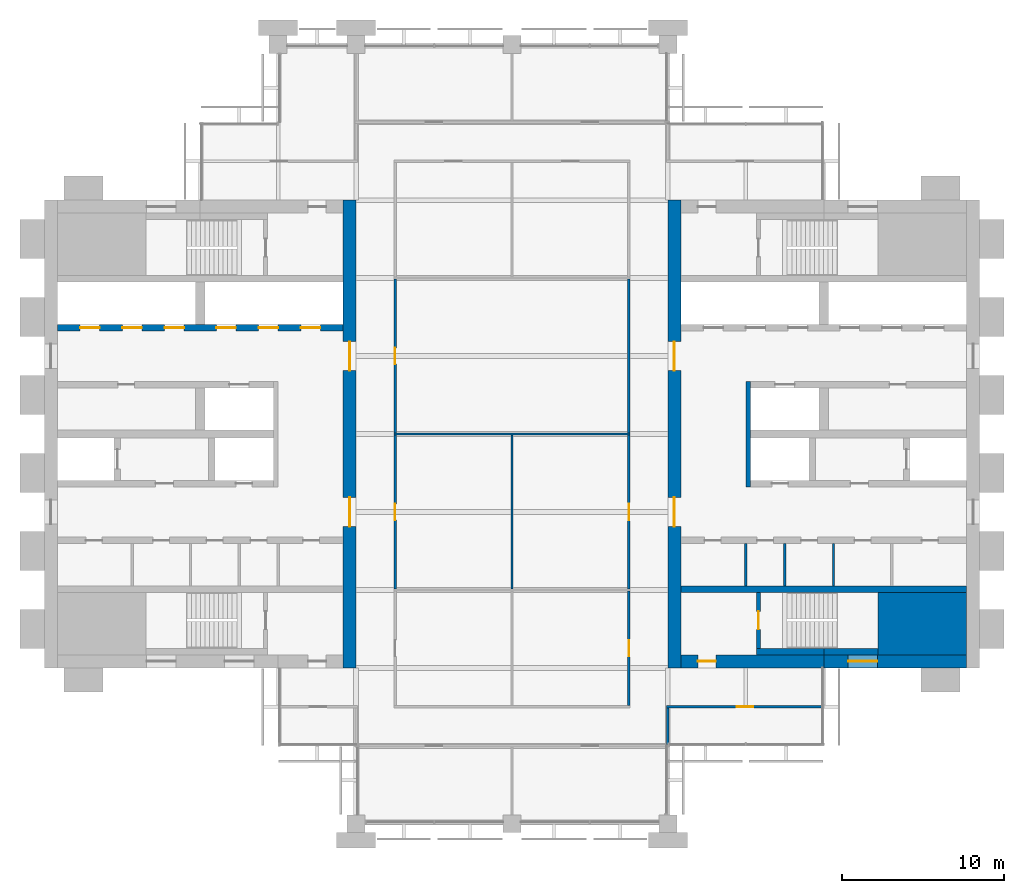
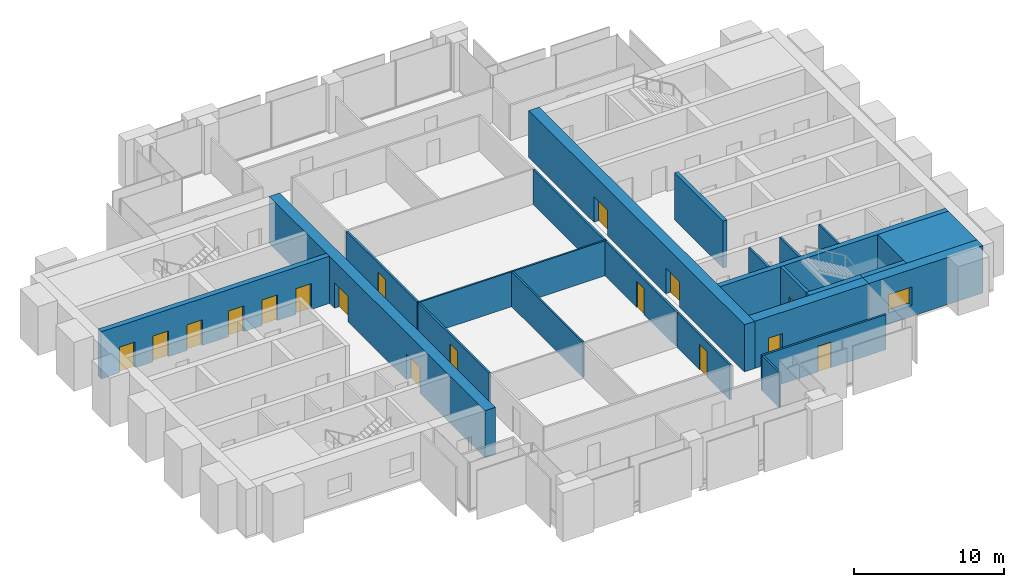
# One storey, part 9 of 13: 23 walls, 17 doors, 1 window, 18 openings.
"""IFC4 building model written with IfcOpenShell, lengths in metres."""

from ifc_helpers import new_model, si_unit, direction, frame, frame_2d, origin, place, context, subcontext, project, spatial, rectangle, extrude, material, layer, layer_set, type_object, element, fill, save


model = new_model("IFC4")

# Units and contexts
model_context = context("Model", 3, precision=1e-05, world=origin(), true_north=direction((0.0, 1.0)))
body_context = subcontext(model_context, "Body", "Model", "MODEL_VIEW")
ifc_project = project(units=[si_unit("LENGTHUNIT", "METRE"), si_unit("AREAUNIT", "SQUARE_METRE"), si_unit("VOLUMEUNIT", "CUBIC_METRE"), si_unit("PLANEANGLEUNIT", "RADIAN"), si_unit("MASSUNIT", "GRAM", prefix="KILO")], contexts=[model_context])

# Site, building, storey
site_placement = place(None, origin())
site = spatial("IfcSite", under=ifc_project, at=site_placement, CompositionType="ELEMENT")
building_placement = place(site_placement, origin())
building = spatial("IfcBuilding", under=site, at=building_placement, Name="Baori Bourse Tower", CompositionType="ELEMENT")
storey_placement = place(building_placement, frame((0.0, 0.0, 217.199951171875)))
storey = spatial("IfcBuildingStorey", under=building, at=storey_placement, Name="L47", CompositionType="ELEMENT", Elevation=217.199951171875)

# Walls
ifc_material_1 = material(Name="Concrete f'c 50 MPa", Category="concrete")
wall_type_1 = type_object("IfcWallType", Name="Core corner block f'c 50", PredefinedType="SHEAR", material=ifc_material_1)
wall_1_placement = place(storey_placement, frame((51.35009765625, 12.324951171875, 0.0), z_axis=(0.0, 0.0, 1.0), x_axis=(1.0, 0.0, 0.0)))
element("IfcWall", 1, at=wall_1_placement, inside=storey, type_object=wall_type_1, Name="Core wall E05", PredefinedType="SHEAR", context=body_context, shape_type="SweptSolid", body=[
    extrude(rectangle(XDim=5.449951171875, YDim=3.85009765625, at=frame_2d((2.72509765625, 0.0))), origin(), (0.0, 0.0, 1.0), 3.840087890625),
])
ifc_material_2 = material(Name="Blockwork partition", Category="masonry")
ifc_layer_1 = layer(ifc_material_2, 0.14990234375)
ifc_layer_set_1 = layer_set([ifc_layer_1], Name="Core partition 150")
wall_type_2 = type_object("IfcWallType", Name="Core partition 150", PredefinedType="PARTITIONING", material=ifc_layer_set_1)
for number, where, z_axis, x_axis, name in (
    (2, (48.60009765625, 14.64990234375, 0.0), (0.0, 0.0, 1.0), (0.0, 1.0, 0.0), "Partition wall E11"),
    (3, (45.60009765625, 14.64990234375, 0.0), (0.0, 0.0, 1.0), (0.0, 1.0, 0.0), "Partition wall E12"),
    (4, (43.199951171875, 14.64990234375, 0.0), (0.0, 0.0, 1.0), (0.0, 1.0, 0.0), "Partition wall E13"),
):
    element("IfcWall", number, at=place(storey_placement, frame(where, z_axis=z_axis, x_axis=x_axis)), inside=storey, type_object=wall_type_2, Name=name, PredefinedType="PARTITIONING", context=body_context, shape_type="SweptSolid", body=[
        extrude(rectangle(XDim=2.60009765625, YDim=0.14990234375, at=frame_2d((1.300048828125, 0.0))), origin(), (0.0, 0.0, 1.0), 3.840087890625),
    ])

# Wall, openings, doors
ifc_material_3 = material(Name="Concrete f'c 50 MPa", Category="concrete")
ifc_layer_2 = layer(ifc_material_3, 0.800048828125)
ifc_layer_set_2 = layer_set([ifc_layer_2], Name="Core wall 800 f'c 50")
wall_type_3 = type_object("IfcWallType", Name="Core wall 800 f'c 50", PredefinedType="SHEAR", material=ifc_layer_set_2)
wall_2_placement = place(storey_placement, frame((18.800048828125, 38.39990234375, 0.0), z_axis=(0.0, 0.0, 1.0), x_axis=(0.0, -1.0, 0.0)))
wall_2 = element("IfcWall", 5, at=wall_2_placement, inside=storey, type_object=wall_type_3, Name="Core wall W04", PredefinedType="SHEAR", context=body_context, shape_type="SweptSolid", body=[
    extrude(rectangle(XDim=28.7998046875, YDim=0.800048828125, at=frame_2d((14.39990234375, 0.0))), origin(), (0.0, 0.0, 1.0), 3.840087890625),
])
opening_1_placement = place(wall_2_placement, frame((18.300048828125, 0.0, 0.0)))
opening_1 = element("IfcOpeningElement", 6, at=opening_1_placement, cuts=wall_2, Name="Opening L47-D107", PredefinedType="OPENING", context=body_context, shape_type="SweptSolid", body=[
    extrude(rectangle(XDim=1.800048828125, YDim=2.10009765625, at=frame_2d((0.89990234375, 1.050048828125))), frame((0.0, 0.409912109375, 0.0), z_axis=(0.0, -1.0, 0.0), x_axis=(1.0, 0.0, 0.0)), (0.0, 0.0, 1.0), 0.820068359375),
])
opening_2_placement = place(wall_2_placement, frame((8.699951171875, 0.0, 0.0)))
opening_2 = element("IfcOpeningElement", 7, at=opening_2_placement, cuts=wall_2, Name="Opening L47-D108", PredefinedType="OPENING", context=body_context, shape_type="SweptSolid", body=[
    extrude(rectangle(XDim=1.800048828125, YDim=2.10009765625, at=frame_2d((0.89990234375, 1.050048828125))), frame((0.0, 0.409912109375, 0.0), z_axis=(0.0, -1.0, 0.0), x_axis=(1.0, 0.0, 0.0)), (0.0, 0.0, 1.0), 0.820068359375),
])
ifc_material_4 = material(Name="Painted steel door", Category="steel")
door_type_1 = type_object("IfcDoorType", Name="Core lobby door 1800", OperationType="DOUBLE_DOOR_SINGLE_SWING", PredefinedType="DOOR", material=ifc_material_4)
door_1_placement = place(opening_1_placement, origin())
door_1 = element("IfcDoor", 8, at=door_1_placement, inside=storey, type_object=door_type_1, Name="Lobby door W L47", OperationType="DOUBLE_DOOR_SINGLE_SWING", OverallHeight=2.10009765625, OverallWidth=1.800048828125, PredefinedType="DOOR", context=body_context, shape_type="SweptSolid", body=[
    extrude(rectangle(XDim=1.800048828125, YDim=2.10009765625, at=frame_2d((0.89990234375, 1.050048828125))), frame((0.0, 0.02490234375, 0.0), z_axis=(0.0, -1.0, 0.0), x_axis=(1.0, 0.0, 0.0)), (0.0, 0.0, 1.0), 0.050048828125),
])
fill(opening_1, door_1)
door_2_placement = place(opening_2_placement, origin())
door_2 = element("IfcDoor", 9, at=door_2_placement, inside=storey, type_object=door_type_1, Name="Lobby door W L47", OperationType="DOUBLE_DOOR_SINGLE_SWING", OverallHeight=2.10009765625, OverallWidth=1.800048828125, PredefinedType="DOOR", context=body_context, shape_type="SweptSolid", body=[
    extrude(rectangle(XDim=1.800048828125, YDim=2.10009765625, at=frame_2d((0.89990234375, 1.050048828125))), frame((0.0, 0.02490234375, 0.0), z_axis=(0.0, -1.0, 0.0), x_axis=(1.0, 0.0, 0.0)), (0.0, 0.0, 1.0), 0.050048828125),
])
fill(opening_2, door_2)

# Wall, opening, window
wall_3_placement = place(storey_placement, frame((56.800048828125, 10.0, 0.0), z_axis=(0.0, 0.0, 1.0), x_axis=(-1.0, 0.0, 0.0)))
wall_3 = element("IfcWall", 10, at=wall_3_placement, inside=storey, type_object=wall_type_3, Name="Core wall E02", PredefinedType="SHEAR", context=body_context, shape_type="SweptSolid", body=[
    extrude(rectangle(XDim=8.800048828125, YDim=0.800048828125, at=frame_2d((4.39990234375, 0.0))), origin(), (0.0, 0.0, 1.0), 3.840087890625),
])
opening_3_placement = place(wall_3_placement, frame((5.5, 0.0, 0.89990234375)))
opening_3 = element("IfcOpeningElement", 11, at=opening_3_placement, cuts=wall_3, Name="Opening L47-KW203", PredefinedType="OPENING", context=body_context, shape_type="SweptSolid", body=[
    extrude(rectangle(XDim=1.800048828125, YDim=1.5, at=frame_2d((0.89990234375, 0.75))), frame((0.0, 0.409912109375, 0.0), z_axis=(0.0, -1.0, 0.0), x_axis=(1.0, 0.0, 0.0)), (0.0, 0.0, 1.0), 0.820068359375),
])
ifc_material_5 = material(Name="Pale anodised aluminium", Category="aluminium")
window_type = type_object("IfcWindowType", Name="Stair window 1800 x 1500", PartitioningType="SINGLE_PANEL", PredefinedType="WINDOW", material=ifc_material_5)
window_placement = place(opening_3_placement, origin())
window = element("IfcWindow", 12, at=window_placement, inside=storey, type_object=window_type, Name="Stair window E L47 3", OverallHeight=1.5, OverallWidth=1.800048828125, PartitioningType="SINGLE_PANEL", PredefinedType="WINDOW", context=body_context, shape_type="SweptSolid", body=[
    extrude(rectangle(XDim=1.800048828125, YDim=1.5, at=frame_2d((0.89990234375, 0.75))), frame((0.0, 0.030029296875, 0.0), z_axis=(0.0, -1.0, 0.0), x_axis=(1.0, 0.0, 0.0)), (0.0, 0.0, 1.0), 0.06005859375),
])
fill(opening_3, window)

# Wall, opening, door
wall_4_placement = place(storey_placement, frame((48.0, 10.0, 0.0), z_axis=(0.0, 0.0, 1.0), x_axis=(-1.0, 0.0, 0.0)))
wall_4 = element("IfcWall", 13, at=wall_4_placement, inside=storey, type_object=wall_type_3, Name="Core wall E03", PredefinedType="SHEAR", context=body_context, shape_type="SweptSolid", body=[
    extrude(rectangle(XDim=8.800048828125, YDim=0.800048828125, at=frame_2d((4.39990234375, 0.0))), origin(), (0.0, 0.0, 1.0), 3.840087890625),
])
opening_4_placement = place(wall_4_placement, frame((6.64990234375, 0.0, 0.0)))
opening_4 = element("IfcOpeningElement", 14, at=opening_4_placement, cuts=wall_4, Name="Opening L47-D202", PredefinedType="OPENING", context=body_context, shape_type="SweptSolid", body=[
    extrude(rectangle(XDim=1.10009765625, YDim=2.10009765625, at=frame_2d((0.550048828125, 1.050048828125))), frame((0.0, 0.409912109375, 0.0), z_axis=(0.0, -1.0, 0.0), x_axis=(1.0, 0.0, 0.0)), (0.0, 0.0, 1.0), 0.820068359375),
])
ifc_material_6 = material(Name="Painted steel door", Category="steel")
door_type_2 = type_object("IfcDoorType", Name="Stair door 1100", OperationType="SINGLE_SWING_LEFT", PredefinedType="DOOR", material=ifc_material_6)
door_3_placement = place(opening_4_placement, origin())
door_3 = element("IfcDoor", 15, at=door_3_placement, inside=storey, type_object=door_type_2, Name="Stair vestibule door A E L47", OperationType="SINGLE_SWING_LEFT", OverallHeight=2.10009765625, OverallWidth=1.10009765625, PredefinedType="DOOR", context=body_context, shape_type="SweptSolid", body=[
    extrude(rectangle(XDim=1.10009765625, YDim=2.10009765625, at=frame_2d((0.550048828125, 1.050048828125))), frame((0.0, 0.02490234375, 0.0), z_axis=(0.0, -1.0, 0.0), x_axis=(1.0, 0.0, 0.0)), (0.0, 0.0, 1.0), 0.050048828125),
])
fill(opening_4, door_3)

# Wall, openings, doors
wall_5_placement = place(storey_placement, frame((38.800048828125, 9.60009765625, 0.0), z_axis=(0.0, 0.0, 1.0), x_axis=(0.0, 1.0, 0.0)))
wall_5 = element("IfcWall", 16, at=wall_5_placement, inside=storey, type_object=wall_type_3, Name="Core wall E04", PredefinedType="SHEAR", context=body_context, shape_type="SweptSolid", body=[
    extrude(rectangle(XDim=28.7998046875, YDim=0.800048828125, at=frame_2d((14.39990234375, 0.0))), origin(), (0.0, 0.0, 1.0), 3.840087890625),
])
opening_5_placement = place(wall_5_placement, frame((8.699951171875, 0.0, 0.0)))
opening_5 = element("IfcOpeningElement", 17, at=opening_5_placement, cuts=wall_5, Name="Opening L47-D207", PredefinedType="OPENING", context=body_context, shape_type="SweptSolid", body=[
    extrude(rectangle(XDim=1.800048828125, YDim=2.10009765625, at=frame_2d((0.89990234375, 1.050048828125))), frame((0.0, 0.409912109375, 0.0), z_axis=(0.0, -1.0, 0.0), x_axis=(1.0, 0.0, 0.0)), (0.0, 0.0, 1.0), 0.820068359375),
])
opening_6_placement = place(wall_5_placement, frame((18.300048828125, 0.0, 0.0)))
opening_6 = element("IfcOpeningElement", 18, at=opening_6_placement, cuts=wall_5, Name="Opening L47-D208", PredefinedType="OPENING", context=body_context, shape_type="SweptSolid", body=[
    extrude(rectangle(XDim=1.800048828125, YDim=2.10009765625, at=frame_2d((0.89990234375, 1.050048828125))), frame((0.0, 0.409912109375, 0.0), z_axis=(0.0, -1.0, 0.0), x_axis=(1.0, 0.0, 0.0)), (0.0, 0.0, 1.0), 0.820068359375),
])
door_4_placement = place(opening_5_placement, origin())
door_4 = element("IfcDoor", 19, at=door_4_placement, inside=storey, type_object=door_type_1, Name="Lobby door E L47", OperationType="DOUBLE_DOOR_SINGLE_SWING", OverallHeight=2.10009765625, OverallWidth=1.800048828125, PredefinedType="DOOR", context=body_context, shape_type="SweptSolid", body=[
    extrude(rectangle(XDim=1.800048828125, YDim=2.10009765625, at=frame_2d((0.89990234375, 1.050048828125))), frame((0.0, 0.02490234375, 0.0), z_axis=(0.0, -1.0, 0.0), x_axis=(1.0, 0.0, 0.0)), (0.0, 0.0, 1.0), 0.050048828125),
])
fill(opening_5, door_4)
door_5_placement = place(opening_6_placement, origin())
door_5 = element("IfcDoor", 20, at=door_5_placement, inside=storey, type_object=door_type_1, Name="Lobby door E L47", OperationType="DOUBLE_DOOR_SINGLE_SWING", OverallHeight=2.10009765625, OverallWidth=1.800048828125, PredefinedType="DOOR", context=body_context, shape_type="SweptSolid", body=[
    extrude(rectangle(XDim=1.800048828125, YDim=2.10009765625, at=frame_2d((0.89990234375, 1.050048828125))), frame((0.0, 0.02490234375, 0.0), z_axis=(0.0, -1.0, 0.0), x_axis=(1.0, 0.0, 0.0)), (0.0, 0.0, 1.0), 0.050048828125),
])
fill(opening_6, door_5)

# Wall, opening, door
ifc_material_7 = material(Name="Gypsum board partition")
ifc_layer_3 = layer(ifc_material_7, 0.14990234375)
ifc_layer_set_3 = layer_set([ifc_layer_3], Name="Corridor partition 150")
wall_type_4 = type_object("IfcWallType", Name="Corridor partition 150", PredefinedType="PARTITIONING", material=ifc_layer_set_3)
wall_6_placement = place(storey_placement, frame((38.324951171875, 7.199951171875, 0.0), z_axis=(0.0, 0.0, 1.0), x_axis=(1.0, 0.0, 0.0)))
wall_6 = element("IfcWall", 21, at=wall_6_placement, inside=storey, type_object=wall_type_4, Name="Partition", PredefinedType="PARTITIONING", context=body_context, shape_type="SweptSolid", body=[
    extrude(rectangle(XDim=9.574951171875, YDim=0.14990234375, at=frame_2d((4.78759765625, 0.0))), origin(), (0.0, 0.0, 1.0), 2.849365234375),
])
opening_7_placement = place(wall_6_placement, frame((4.324951171875, 0.0, 0.0)))
opening_7 = element("IfcOpeningElement", 22, at=opening_7_placement, cuts=wall_6, Name="Opening L47-D04", PredefinedType="OPENING", context=body_context, shape_type="SweptSolid", body=[
    extrude(rectangle(XDim=1.0, YDim=2.10009765625, at=frame_2d((0.5, 1.050048828125))), frame((0.0, 0.0849609375, 0.0), z_axis=(0.0, -1.0, 0.0), x_axis=(1.0, 0.0, 0.0)), (0.0, 0.0, 1.0), 0.169921875),
])
ifc_material_8 = material(Name="Timber door leaf", Category="wood")
door_type_3 = type_object("IfcDoorType", Name="Door 1000 x 2100", OperationType="SINGLE_SWING_LEFT", PredefinedType="DOOR", material=ifc_material_8)
door_6_placement = place(opening_7_placement, origin())
door_6 = element("IfcDoor", 23, at=door_6_placement, inside=storey, type_object=door_type_3, Name="Door", OperationType="SINGLE_SWING_RIGHT", OverallHeight=2.10009765625, OverallWidth=1.0, PredefinedType="DOOR", context=body_context, shape_type="SweptSolid", body=[
    extrude(rectangle(XDim=1.0, YDim=2.10009765625, at=frame_2d((0.5, 1.050048828125))), frame((0.0, 0.02490234375, 0.0), z_axis=(0.0, -1.0, 0.0), x_axis=(1.0, 0.0, 0.0)), (0.0, 0.0, 1.0), 0.050048828125),
])
fill(opening_7, door_6)

wall_7_placement = place(storey_placement, frame((21.60009765625, 14.46240234375, 0.0), z_axis=(0.0, 0.0, 1.0), x_axis=(0.0, 1.0, 0.0)))
wall_7 = element("IfcWall", 24, at=wall_7_placement, inside=storey, type_object=wall_type_4, Name="Partition", PredefinedType="PARTITIONING", context=body_context, shape_type="SweptSolid", body=[
    extrude(rectangle(XDim=9.47509765625, YDim=0.14990234375, at=frame_2d((4.737548828125, 0.0))), origin(), (0.0, 0.0, 1.0), 2.849365234375),
])
opening_8_placement = place(wall_7_placement, frame((4.237548828125, 0.0, 0.0)))
opening_8 = element("IfcOpeningElement", 25, at=opening_8_placement, cuts=wall_7, Name="Opening L47-D12", PredefinedType="OPENING", context=body_context, shape_type="SweptSolid", body=[
    extrude(rectangle(XDim=1.0, YDim=2.10009765625, at=frame_2d((0.5, 1.050048828125))), frame((0.0, 0.0849609375, 0.0), z_axis=(0.0, -1.0, 0.0), x_axis=(1.0, 0.0, 0.0)), (0.0, 0.0, 1.0), 0.169921875),
])
door_7_placement = place(opening_8_placement, origin())
door_7 = element("IfcDoor", 26, at=door_7_placement, inside=storey, type_object=door_type_3, Name="Door", OperationType="SINGLE_SWING_LEFT", OverallHeight=2.10009765625, OverallWidth=1.0, PredefinedType="DOOR", context=body_context, shape_type="SweptSolid", body=[
    extrude(rectangle(XDim=1.0, YDim=2.10009765625, at=frame_2d((0.5, 1.050048828125))), frame((0.0, 0.02490234375, 0.0), z_axis=(0.0, -1.0, 0.0), x_axis=(1.0, 0.0, 0.0)), (0.0, 0.0, 1.0), 0.050048828125),
])
fill(opening_8, door_7)

wall_8_placement = place(storey_placement, frame((21.60009765625, 24.0625, 0.0), z_axis=(0.0, 0.0, 1.0), x_axis=(0.0, 1.0, 0.0)))
wall_8 = element("IfcWall", 27, at=wall_8_placement, inside=storey, type_object=wall_type_4, Name="Partition", PredefinedType="PARTITIONING", context=body_context, shape_type="SweptSolid", body=[
    extrude(rectangle(XDim=9.47509765625, YDim=0.14990234375, at=frame_2d((4.737548828125, 0.0))), origin(), (0.0, 0.0, 1.0), 2.849365234375),
])
opening_9_placement = place(wall_8_placement, frame((4.237548828125, 0.0, 0.0)))
opening_9 = element("IfcOpeningElement", 28, at=opening_9_placement, cuts=wall_8, Name="Opening L47-D13", PredefinedType="OPENING", context=body_context, shape_type="SweptSolid", body=[
    extrude(rectangle(XDim=1.0, YDim=2.10009765625, at=frame_2d((0.5, 1.050048828125))), frame((0.0, 0.0849609375, 0.0), z_axis=(0.0, -1.0, 0.0), x_axis=(1.0, 0.0, 0.0)), (0.0, 0.0, 1.0), 0.169921875),
])
door_8_placement = place(opening_9_placement, origin())
door_8 = element("IfcDoor", 29, at=door_8_placement, inside=storey, type_object=door_type_3, Name="Door", OperationType="SINGLE_SWING_LEFT", OverallHeight=2.10009765625, OverallWidth=1.0, PredefinedType="DOOR", context=body_context, shape_type="SweptSolid", body=[
    extrude(rectangle(XDim=1.0, YDim=2.10009765625, at=frame_2d((0.5, 1.050048828125))), frame((0.0, 0.02490234375, 0.0), z_axis=(0.0, -1.0, 0.0), x_axis=(1.0, 0.0, 0.0)), (0.0, 0.0, 1.0), 0.050048828125),
])
fill(opening_9, door_8)

wall_9_placement = place(storey_placement, frame((36.0, 7.27490234375, 0.0), z_axis=(0.0, 0.0, 1.0), x_axis=(0.0, 1.0, 0.0)))
wall_9 = element("IfcWall", 30, at=wall_9_placement, inside=storey, type_object=wall_type_4, Name="Partition", PredefinedType="PARTITIONING", context=body_context, shape_type="SweptSolid", body=[
    extrude(rectangle(XDim=7.0625, YDim=0.14990234375, at=frame_2d((3.53125, 0.0))), origin(), (0.0, 0.0, 1.0), 2.849365234375),
])
opening_10_placement = place(wall_9_placement, frame((3.03125, 0.0, 0.0)))
opening_10 = element("IfcOpeningElement", 31, at=opening_10_placement, cuts=wall_9, Name="Opening L47-D14", PredefinedType="OPENING", context=body_context, shape_type="SweptSolid", body=[
    extrude(rectangle(XDim=1.0, YDim=2.10009765625, at=frame_2d((0.5, 1.050048828125))), frame((0.0, 0.0849609375, 0.0), z_axis=(0.0, -1.0, 0.0), x_axis=(1.0, 0.0, 0.0)), (0.0, 0.0, 1.0), 0.169921875),
])
door_9_placement = place(opening_10_placement, origin())
door_9 = element("IfcDoor", 32, at=door_9_placement, inside=storey, type_object=door_type_3, Name="Door", OperationType="SINGLE_SWING_RIGHT", OverallHeight=2.10009765625, OverallWidth=1.0, PredefinedType="DOOR", context=body_context, shape_type="SweptSolid", body=[
    extrude(rectangle(XDim=1.0, YDim=2.10009765625, at=frame_2d((0.5, 1.050048828125))), frame((0.0, 0.02490234375, 0.0), z_axis=(0.0, -1.0, 0.0), x_axis=(1.0, 0.0, 0.0)), (0.0, 0.0, 1.0), 0.050048828125),
])
fill(opening_10, door_9)

wall_10_placement = place(storey_placement, frame((36.0, 14.46240234375, 0.0), z_axis=(0.0, 0.0, 1.0), x_axis=(0.0, 1.0, 0.0)))
wall_10 = element("IfcWall", 33, at=wall_10_placement, inside=storey, type_object=wall_type_4, Name="Partition", PredefinedType="PARTITIONING", context=body_context, shape_type="SweptSolid", body=[
    extrude(rectangle(XDim=9.47509765625, YDim=0.14990234375, at=frame_2d((4.737548828125, 0.0))), origin(), (0.0, 0.0, 1.0), 2.849365234375),
])
opening_11_placement = place(wall_10_placement, frame((4.237548828125, 0.0, 0.0)))
opening_11 = element("IfcOpeningElement", 34, at=opening_11_placement, cuts=wall_10, Name="Opening L47-D15", PredefinedType="OPENING", context=body_context, shape_type="SweptSolid", body=[
    extrude(rectangle(XDim=1.0, YDim=2.10009765625, at=frame_2d((0.5, 1.050048828125))), frame((0.0, 0.0849609375, 0.0), z_axis=(0.0, -1.0, 0.0), x_axis=(1.0, 0.0, 0.0)), (0.0, 0.0, 1.0), 0.169921875),
])
door_10_placement = place(opening_11_placement, origin())
door_10 = element("IfcDoor", 35, at=door_10_placement, inside=storey, type_object=door_type_3, Name="Door", OperationType="SINGLE_SWING_RIGHT", OverallHeight=2.10009765625, OverallWidth=1.0, PredefinedType="DOOR", context=body_context, shape_type="SweptSolid", body=[
    extrude(rectangle(XDim=1.0, YDim=2.10009765625, at=frame_2d((0.5, 1.050048828125))), frame((0.0, 0.02490234375, 0.0), z_axis=(0.0, -1.0, 0.0), x_axis=(1.0, 0.0, 0.0)), (0.0, 0.0, 1.0), 0.050048828125),
])
fill(opening_11, door_10)

# Walls
wall_11_placement = place(storey_placement, frame((36.0, 24.0625, 0.0), z_axis=(0.0, 0.0, 1.0), x_axis=(0.0, 1.0, 0.0)))
element("IfcWall", 36, at=wall_11_placement, inside=storey, type_object=wall_type_4, Name="Partition", PredefinedType="PARTITIONING", context=body_context, shape_type="SweptSolid", body=[
    extrude(rectangle(XDim=9.47509765625, YDim=0.14990234375, at=frame_2d((4.737548828125, 0.0))), origin(), (0.0, 0.0, 1.0), 2.849365234375),
])
wall_12_placement = place(storey_placement, frame((38.39990234375, 4.875, 0.0), z_axis=(0.0, 0.0, 1.0), x_axis=(0.0, 1.0, 0.0)))
element("IfcWall", 37, at=wall_12_placement, inside=storey, type_object=wall_type_4, Name="Partition", PredefinedType="PARTITIONING", context=body_context, shape_type="SweptSolid", body=[
    extrude(rectangle(XDim=2.25, YDim=0.14990234375, at=frame_2d((1.125, 0.0))), origin(), (0.0, 0.0, 1.0), 2.849365234375),
])
ifc_material_9 = material(Name="Gypsum board partition")
ifc_layer_4 = layer(ifc_material_9, 0.125)
ifc_layer_set_4 = layer_set([ifc_layer_4], Name="Partition 125")
wall_type_5 = type_object("IfcWallType", Name="Partition 125", PredefinedType="PARTITIONING", material=ifc_layer_set_4)
wall_13_placement = place(storey_placement, frame((21.52490234375, 24.0, 0.0), z_axis=(0.0, 0.0, 1.0), x_axis=(1.0, 0.0, 0.0)))
element("IfcWall", 38, at=wall_13_placement, inside=storey, type_object=wall_type_5, Name="Partition", PredefinedType="PARTITIONING", context=body_context, shape_type="SweptSolid", body=[
    extrude(rectangle(XDim=14.550048828125, YDim=0.125, at=frame_2d((7.27490234375, 0.0))), origin(), (0.0, 0.0, 1.0), 2.849365234375),
])
wall_14_placement = place(storey_placement, frame((28.800048828125, 14.46240234375, 0.0), z_axis=(0.0, 0.0, 1.0), x_axis=(0.0, 1.0, 0.0)))
element("IfcWall", 39, at=wall_14_placement, inside=storey, type_object=wall_type_5, Name="Partition", PredefinedType="PARTITIONING", context=body_context, shape_type="SweptSolid", body=[
    extrude(rectangle(XDim=9.47509765625, YDim=0.125, at=frame_2d((4.737548828125, 0.0))), origin(), (0.0, 0.0, 1.0), 2.849365234375),
])

# Wall, opening, door
ifc_material_10 = material(Name="Concrete f'c 50 MPa", Category="concrete")
ifc_layer_5 = layer(ifc_material_10, 0.25)
ifc_layer_set_5 = layer_set([ifc_layer_5], Name="Shaft wall 250 f'c 50")
wall_type_6 = type_object("IfcWallType", Name="Shaft wall 250 f'c 50", PredefinedType="SHEAR", material=ifc_layer_set_5)
wall_15_placement = place(storey_placement, frame((43.97509765625, 10.800048828125, 0.0), z_axis=(0.0, 0.0, 1.0), x_axis=(0.0, 1.0, 0.0)))
wall_15 = element("IfcWall", 40, at=wall_15_placement, inside=storey, type_object=wall_type_6, Name="Core wall E08", PredefinedType="SHEAR", context=body_context, shape_type="SweptSolid", body=[
    extrude(rectangle(XDim=3.449951171875, YDim=0.25, at=frame_2d((1.72509765625, 0.0))), origin(), (0.0, 0.0, 1.0), 3.840087890625),
])
opening_12_placement = place(wall_15_placement, frame((1.175048828125, 0.0, 0.0)))
opening_12 = element("IfcOpeningElement", 41, at=opening_12_placement, cuts=wall_15, Name="Opening L47-D201", PredefinedType="OPENING", context=body_context, shape_type="SweptSolid", body=[
    extrude(rectangle(XDim=1.10009765625, YDim=2.10009765625, at=frame_2d((0.550048828125, 1.050048828125))), frame((0.0, 0.135009765625, 0.0), z_axis=(0.0, -1.0, 0.0), x_axis=(1.0, 0.0, 0.0)), (0.0, 0.0, 1.0), 0.27001953125),
])
door_11_placement = place(opening_12_placement, origin())
door_11 = element("IfcDoor", 42, at=door_11_placement, inside=storey, type_object=door_type_2, Name="Stair door A E L47", OperationType="SINGLE_SWING_LEFT", OverallHeight=2.10009765625, OverallWidth=1.10009765625, PredefinedType="DOOR", context=body_context, shape_type="SweptSolid", body=[
    extrude(rectangle(XDim=1.10009765625, YDim=2.10009765625, at=frame_2d((0.550048828125, 1.050048828125))), frame((0.0, 0.02490234375, 0.0), z_axis=(0.0, -1.0, 0.0), x_axis=(1.0, 0.0, 0.0)), (0.0, 0.0, 1.0), 0.050048828125),
])
fill(opening_12, door_11)

# Wall
ifc_material_11 = material(Name="Concrete f'c 50 MPa", Category="concrete")
ifc_layer_6 = layer(ifc_material_11, 0.300048828125)
ifc_layer_set_6 = layer_set([ifc_layer_6], Name="Shaft wall 300 f'c 50")
wall_type_7 = type_object("IfcWallType", Name="Shaft wall 300 f'c 50", PredefinedType="SHEAR", material=ifc_layer_set_6)
wall_16_placement = place(storey_placement, frame((43.35009765625, 20.75, 0.0), z_axis=(0.0, 0.0, 1.0), x_axis=(0.0, 1.0, 0.0)))
element("IfcWall", 43, at=wall_16_placement, inside=storey, type_object=wall_type_7, Name="Core wall E16", PredefinedType="SHEAR", context=body_context, shape_type="SweptSolid", body=[
    extrude(rectangle(XDim=6.5, YDim=0.300048828125, at=frame_2d((3.25, 0.0))), origin(), (0.0, 0.0, 1.0), 3.840087890625),
])

# Wall, openings, doors
ifc_material_12 = material(Name="Concrete f'c 50 MPa", Category="concrete")
ifc_layer_7 = layer(ifc_material_12, 0.39990234375)
ifc_layer_set_7 = layer_set([ifc_layer_7], Name="Shaft wall 400 f'c 50")
wall_type_8 = type_object("IfcWallType", Name="Shaft wall 400 f'c 50", PredefinedType="SHEAR", material=ifc_layer_set_7)
wall_17_placement = place(storey_placement, frame((0.800048828125, 30.550048828125, 0.0), z_axis=(0.0, 0.0, 1.0), x_axis=(1.0, 0.0, 0.0)))
wall_17 = element("IfcWall", 44, at=wall_17_placement, inside=storey, type_object=wall_type_8, Name="Core wall W21", PredefinedType="SHEAR", context=body_context, shape_type="SweptSolid", body=[
    extrude(rectangle(XDim=17.599853515625, YDim=0.39990234375, at=frame_2d((8.7998046875, 0.0))), origin(), (0.0, 0.0, 1.0), 3.840087890625),
])
opening_13_placement = place(wall_17_placement, frame((1.39990234375, 0.0, 0.0)))
opening_13 = element("IfcOpeningElement", 45, at=opening_13_placement, cuts=wall_17, Name="Opening L47-D115", PredefinedType="OPENING", context=body_context, shape_type="SweptSolid", body=[
    extrude(rectangle(XDim=1.199951171875, YDim=2.10009765625, at=frame_2d((0.60009765625, 1.050048828125))), frame((0.0, 0.2099609375, 0.0), z_axis=(0.0, -1.0, 0.0), x_axis=(1.0, 0.0, 0.0)), (0.0, 0.0, 1.0), 0.419921875),
])
opening_14_placement = place(wall_17_placement, frame((4.0, 0.0, 0.0)))
opening_14 = element("IfcOpeningElement", 46, at=opening_14_placement, cuts=wall_17, Name="Opening L47-D116", PredefinedType="OPENING", context=body_context, shape_type="SweptSolid", body=[
    extrude(rectangle(XDim=1.199951171875, YDim=2.10009765625, at=frame_2d((0.60009765625, 1.050048828125))), frame((0.0, 0.2099609375, 0.0), z_axis=(0.0, -1.0, 0.0), x_axis=(1.0, 0.0, 0.0)), (0.0, 0.0, 1.0), 0.419921875),
])
opening_15_placement = place(wall_17_placement, frame((6.60009765625, 0.0, 0.0)))
opening_15 = element("IfcOpeningElement", 47, at=opening_15_placement, cuts=wall_17, Name="Opening L47-D117", PredefinedType="OPENING", context=body_context, shape_type="SweptSolid", body=[
    extrude(rectangle(XDim=1.199951171875, YDim=2.10009765625, at=frame_2d((0.60009765625, 1.050048828125))), frame((0.0, 0.2099609375, 0.0), z_axis=(0.0, -1.0, 0.0), x_axis=(1.0, 0.0, 0.0)), (0.0, 0.0, 1.0), 0.419921875),
])
opening_16_placement = place(wall_17_placement, frame((9.800048828125, 0.0, 0.0)))
opening_16 = element("IfcOpeningElement", 48, at=opening_16_placement, cuts=wall_17, Name="Opening L47-D118", PredefinedType="OPENING", context=body_context, shape_type="SweptSolid", body=[
    extrude(rectangle(XDim=1.199951171875, YDim=2.10009765625, at=frame_2d((0.60009765625, 1.050048828125))), frame((0.0, 0.2099609375, 0.0), z_axis=(0.0, -1.0, 0.0), x_axis=(1.0, 0.0, 0.0)), (0.0, 0.0, 1.0), 0.419921875),
])
opening_17_placement = place(wall_17_placement, frame((12.39990234375, 0.0, 0.0)))
opening_17 = element("IfcOpeningElement", 49, at=opening_17_placement, cuts=wall_17, Name="Opening L47-D119", PredefinedType="OPENING", context=body_context, shape_type="SweptSolid", body=[
    extrude(rectangle(XDim=1.199951171875, YDim=2.10009765625, at=frame_2d((0.60009765625, 1.050048828125))), frame((0.0, 0.2099609375, 0.0), z_axis=(0.0, -1.0, 0.0), x_axis=(1.0, 0.0, 0.0)), (0.0, 0.0, 1.0), 0.419921875),
])
opening_18_placement = place(wall_17_placement, frame((15.0, 0.0, 0.0)))
opening_18 = element("IfcOpeningElement", 50, at=opening_18_placement, cuts=wall_17, Name="Opening L47-D120", PredefinedType="OPENING", context=body_context, shape_type="SweptSolid", body=[
    extrude(rectangle(XDim=1.199951171875, YDim=2.10009765625, at=frame_2d((0.60009765625, 1.050048828125))), frame((0.0, 0.2099609375, 0.0), z_axis=(0.0, -1.0, 0.0), x_axis=(1.0, 0.0, 0.0)), (0.0, 0.0, 1.0), 0.419921875),
])
ifc_material_13 = material(Name="Stainless steel door", Category="steel")
door_type_4 = type_object("IfcDoorType", Name="Lift landing door", OperationType="DOUBLE_DOOR_SLIDING", PredefinedType="DOOR", material=ifc_material_13)
door_12_placement = place(opening_13_placement, origin())
door_12 = element("IfcDoor", 51, at=door_12_placement, inside=storey, type_object=door_type_4, Name="Lift landing door HR1 W L47", OperationType="DOUBLE_DOOR_SLIDING", OverallHeight=2.10009765625, OverallWidth=1.199951171875, PredefinedType="DOOR", context=body_context, shape_type="SweptSolid", body=[
    extrude(rectangle(XDim=1.199951171875, YDim=2.10009765625, at=frame_2d((0.60009765625, 1.050048828125))), frame((0.0, 0.02490234375, 0.0), z_axis=(0.0, -1.0, 0.0), x_axis=(1.0, 0.0, 0.0)), (0.0, 0.0, 1.0), 0.050048828125),
])
fill(opening_13, door_12)
door_13_placement = place(opening_14_placement, origin())
door_13 = element("IfcDoor", 52, at=door_13_placement, inside=storey, type_object=door_type_4, Name="Lift landing door HR2 W L47", OperationType="DOUBLE_DOOR_SLIDING", OverallHeight=2.10009765625, OverallWidth=1.199951171875, PredefinedType="DOOR", context=body_context, shape_type="SweptSolid", body=[
    extrude(rectangle(XDim=1.199951171875, YDim=2.10009765625, at=frame_2d((0.60009765625, 1.050048828125))), frame((0.0, 0.02490234375, 0.0), z_axis=(0.0, -1.0, 0.0), x_axis=(1.0, 0.0, 0.0)), (0.0, 0.0, 1.0), 0.050048828125),
])
fill(opening_14, door_13)
door_14_placement = place(opening_15_placement, origin())
door_14 = element("IfcDoor", 53, at=door_14_placement, inside=storey, type_object=door_type_4, Name="Lift landing door HR3 W L47", OperationType="DOUBLE_DOOR_SLIDING", OverallHeight=2.10009765625, OverallWidth=1.199951171875, PredefinedType="DOOR", context=body_context, shape_type="SweptSolid", body=[
    extrude(rectangle(XDim=1.199951171875, YDim=2.10009765625, at=frame_2d((0.60009765625, 1.050048828125))), frame((0.0, 0.02490234375, 0.0), z_axis=(0.0, -1.0, 0.0), x_axis=(1.0, 0.0, 0.0)), (0.0, 0.0, 1.0), 0.050048828125),
])
fill(opening_15, door_14)
door_15_placement = place(opening_16_placement, origin())
door_15 = element("IfcDoor", 54, at=door_15_placement, inside=storey, type_object=door_type_4, Name="Lift landing door HR4 W L47", OperationType="DOUBLE_DOOR_SLIDING", OverallHeight=2.10009765625, OverallWidth=1.199951171875, PredefinedType="DOOR", context=body_context, shape_type="SweptSolid", body=[
    extrude(rectangle(XDim=1.199951171875, YDim=2.10009765625, at=frame_2d((0.60009765625, 1.050048828125))), frame((0.0, 0.02490234375, 0.0), z_axis=(0.0, -1.0, 0.0), x_axis=(1.0, 0.0, 0.0)), (0.0, 0.0, 1.0), 0.050048828125),
])
fill(opening_16, door_15)
door_16_placement = place(opening_17_placement, origin())
door_16 = element("IfcDoor", 55, at=door_16_placement, inside=storey, type_object=door_type_4, Name="Lift landing door HR5 W L47", OperationType="DOUBLE_DOOR_SLIDING", OverallHeight=2.10009765625, OverallWidth=1.199951171875, PredefinedType="DOOR", context=body_context, shape_type="SweptSolid", body=[
    extrude(rectangle(XDim=1.199951171875, YDim=2.10009765625, at=frame_2d((0.60009765625, 1.050048828125))), frame((0.0, 0.02490234375, 0.0), z_axis=(0.0, -1.0, 0.0), x_axis=(1.0, 0.0, 0.0)), (0.0, 0.0, 1.0), 0.050048828125),
])
fill(opening_17, door_16)
door_17_placement = place(opening_18_placement, origin())
door_17 = element("IfcDoor", 56, at=door_17_placement, inside=storey, type_object=door_type_4, Name="Lift landing door HR6 W L47", OperationType="DOUBLE_DOOR_SLIDING", OverallHeight=2.10009765625, OverallWidth=1.199951171875, PredefinedType="DOOR", context=body_context, shape_type="SweptSolid", body=[
    extrude(rectangle(XDim=1.199951171875, YDim=2.10009765625, at=frame_2d((0.60009765625, 1.050048828125))), frame((0.0, 0.02490234375, 0.0), z_axis=(0.0, -1.0, 0.0), x_axis=(1.0, 0.0, 0.0)), (0.0, 0.0, 1.0), 0.050048828125),
])
fill(opening_18, door_17)

# Walls
wall_18_placement = place(storey_placement, frame((48.0, 10.60009765625, 0.0), z_axis=(0.0, 0.0, 1.0), x_axis=(1.0, 0.0, 0.0)))
element("IfcWall", 57, at=wall_18_placement, inside=storey, type_object=wall_type_8, Name="Core wall E06", PredefinedType="SHEAR", context=body_context, shape_type="SweptSolid", body=[
    extrude(rectangle(XDim=3.35009765625, YDim=0.39990234375, at=frame_2d((1.675048828125, 0.0))), origin(), (0.0, 0.0, 1.0), 3.840087890625),
])
wall_19_placement = place(storey_placement, frame((43.85009765625, 10.60009765625, 0.0), z_axis=(0.0, 0.0, 1.0), x_axis=(1.0, 0.0, 0.0)))
element("IfcWall", 58, at=wall_19_placement, inside=storey, type_object=wall_type_8, Name="Core wall E07", PredefinedType="SHEAR", context=body_context, shape_type="SweptSolid", body=[
    extrude(rectangle(XDim=4.14990234375, YDim=0.39990234375, at=frame_2d((2.074951171875, 0.0))), origin(), (0.0, 0.0, 1.0), 3.840087890625),
])
wall_20_placement = place(storey_placement, frame((39.199951171875, 14.449951171875, 0.0), z_axis=(0.0, 0.0, 1.0), x_axis=(1.0, 0.0, 0.0)))
element("IfcWall", 59, at=wall_20_placement, inside=storey, type_object=wall_type_8, Name="Core wall E09", PredefinedType="SHEAR", context=body_context, shape_type="SweptSolid", body=[
    extrude(rectangle(XDim=17.60009765625, YDim=0.39990234375, at=frame_2d((8.800048828125, 0.0))), origin(), (0.0, 0.0, 1.0), 3.840087890625),
])

save(model, "model.ifc")
